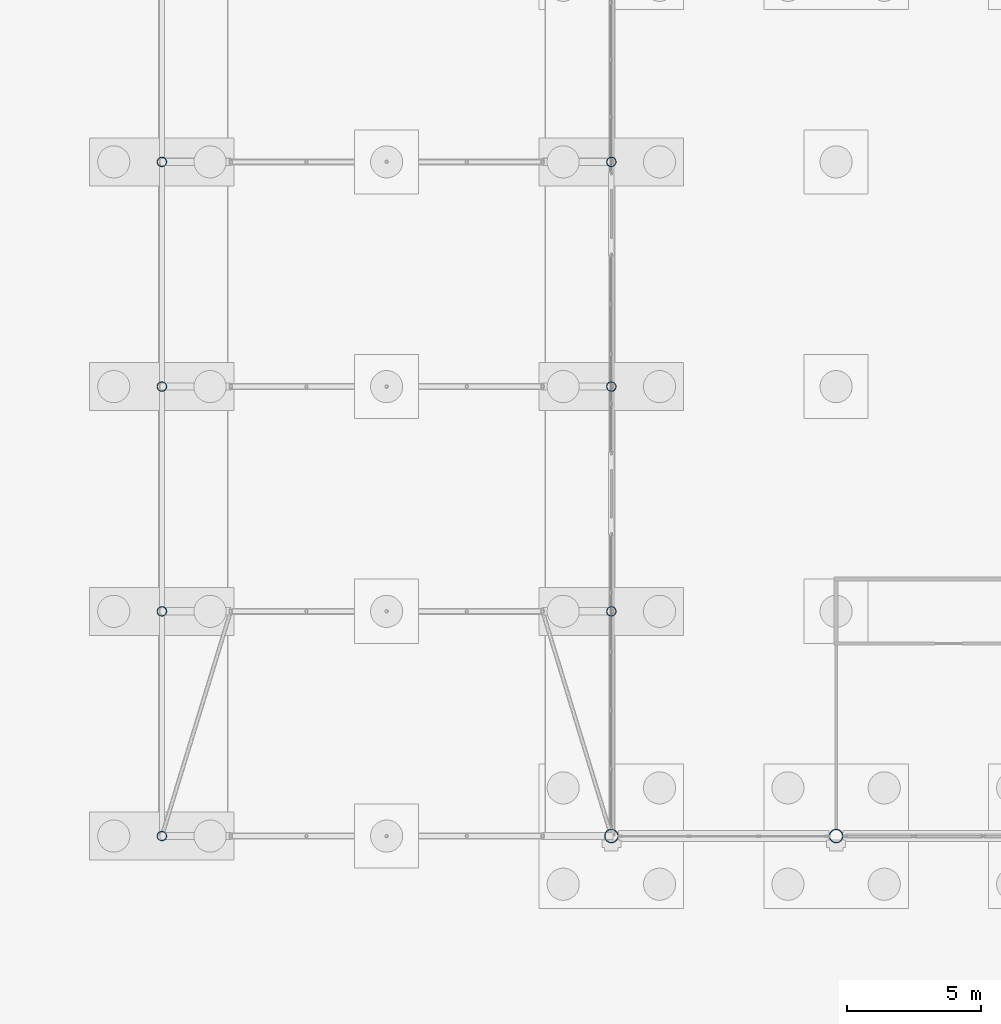
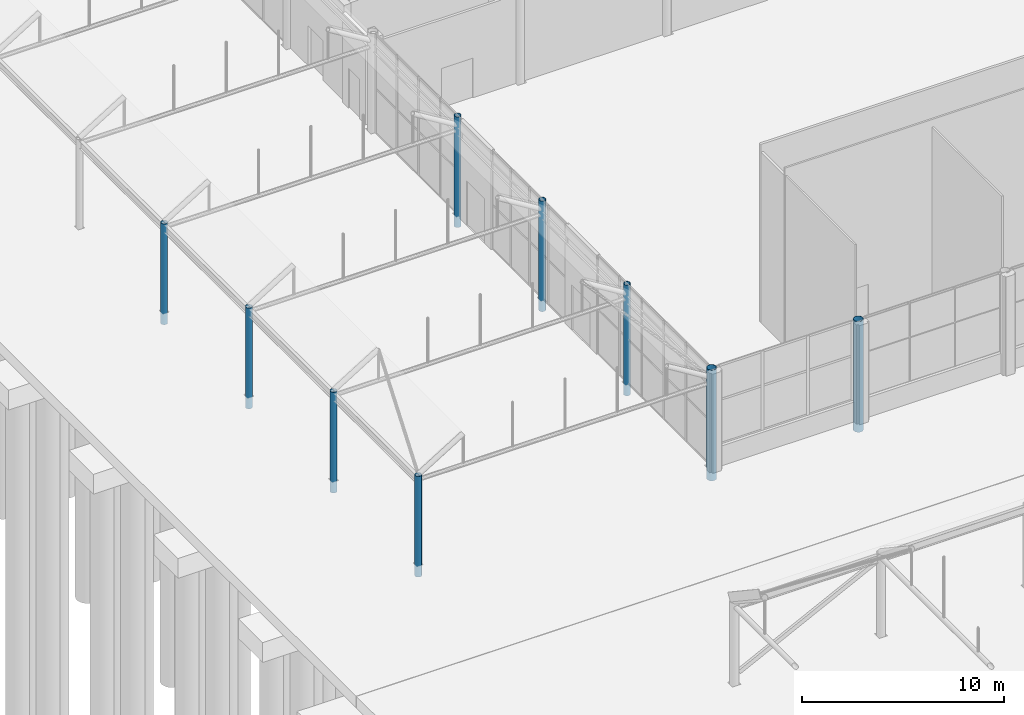
# One storey, part 10 of 212: 9 columns.
"""IFC4 building model written with IfcOpenShell, lengths in metres."""

from ifc_helpers import new_model, si_unit, direction, frame, origin, origin_2d, place, context, subcontext, project, spatial, hollow_circle, extrude, material, material_profile, profile_set, type_object, element, save


model = new_model("IFC4")

# Units and contexts
model_context = context("Model", 3, precision=1e-05, world=origin(), true_north=direction((0.0, 1.0)))
body_context = subcontext(model_context, "Body", "Model", "MODEL_VIEW")
ifc_project = project(units=[si_unit("LENGTHUNIT", "METRE"), si_unit("AREAUNIT", "SQUARE_METRE"), si_unit("VOLUMEUNIT", "CUBIC_METRE"), si_unit("PLANEANGLEUNIT", "RADIAN"), si_unit("MASSUNIT", "GRAM", prefix="KILO")], contexts=[model_context])

# Site, building, storey
site_placement = place(None, origin())
site = spatial("IfcSite", under=ifc_project, at=site_placement, CompositionType="ELEMENT")
building_placement = place(site_placement, origin())
building = spatial("IfcBuilding", under=site, at=building_placement, Name="Catenary Quay Ferry Terminal", CompositionType="ELEMENT")
storey_placement = place(building_placement, origin())
storey = spatial("IfcBuildingStorey", under=building, at=storey_placement, Name="L00", CompositionType="ELEMENT", Elevation=0.0)

# Columns
ifc_material_1 = material(Name="Steel S355", Category="steel")
ifc_material_profile_1 = material_profile(ifc_material_1, hollow_circle(Radius=0.25390625, WallThickness=0.01611328125, at=origin_2d()), Name="CHS 508x16")
ifc_profile_set_1 = profile_set([ifc_material_profile_1], Name="Steel S355")
column_type_1 = type_object("IfcColumnType", Name="C4 CHS 508x16", PredefinedType="COLUMN", material=ifc_profile_set_1)
for number, where, z_axis, x_axis, name in (
    (1, (25.199951171875, 67.199951171875, -0.699951171875), (0.0, 0.0, 1.0), (1.0, 0.0, 0.0), "Column C-D9 L00"),
    (2, (33.60009765625, 67.199951171875, -0.699951171875), (0.0, 0.0, 1.0), (1.0, 0.0, 0.0), "Column C-E9 L00"),
):
    element("IfcColumn", number, at=place(storey_placement, frame(where, z_axis=z_axis, x_axis=x_axis)), inside=storey, type_object=column_type_1, Name=name, PredefinedType="COLUMN", context=body_context, shape_type="SweptSolid", body=[
        extrude(hollow_circle(Radius=0.25390625, WallThickness=0.01611328125, at=origin_2d()), origin(), (0.0, 0.0, 1.0), 6.699951171875),
    ])
ifc_material_2 = material(Name="Steel S355", Category="steel")
ifc_material_profile_2 = material_profile(ifc_material_2, hollow_circle(Radius=0.177734375, WallThickness=0.012451171875, at=origin_2d()), Name="CHS 355.6x12.5")
ifc_profile_set_2 = profile_set([ifc_material_profile_2], Name="Steel S355")
column_type_2 = type_object("IfcColumnType", Name="C5 CHS 355.6x12.5", PredefinedType="COLUMN", material=ifc_profile_set_2)
for number, where, z_axis, x_axis, name in (
    (3, (25.199951171875, 75.60009765625, -0.699951171875), (0.0, 0.0, 1.0), (1.0, 0.0, 0.0), "Column C-D10 L00"),
    (4, (25.199951171875, 84.0, -0.699951171875), (0.0, 0.0, 1.0), (1.0, 0.0, 0.0), "Column C-D11 L00"),
    (5, (25.199951171875, 92.39990234375, -0.699951171875), (0.0, 0.0, 1.0), (1.0, 0.0, 0.0), "Column C-D12 L00"),
):
    element("IfcColumn", number, at=place(storey_placement, frame(where, z_axis=z_axis, x_axis=x_axis)), inside=storey, type_object=column_type_2, Name=name, PredefinedType="COLUMN", context=body_context, shape_type="SweptSolid", body=[
        extrude(hollow_circle(Radius=0.177734375, WallThickness=0.012451171875, at=origin_2d()), origin(), (0.0, 0.0, 1.0), 6.699951171875),
    ])
for number, where, z_axis, x_axis, name in (
    (6, (8.39990234375, 67.199951171875, -0.699951171875), (0.0, 0.0, 1.0), (1.0, 0.0, 0.0), "Column C-B9 L00"),
    (7, (8.39990234375, 75.60009765625, -0.699951171875), (0.0, 0.0, 1.0), (1.0, 0.0, 0.0), "Column C-B10 L00"),
    (8, (8.39990234375, 84.0, -0.699951171875), (0.0, 0.0, 1.0), (1.0, 0.0, 0.0), "Column C-B11 L00"),
    (9, (8.39990234375, 92.39990234375, -0.699951171875), (0.0, 0.0, 1.0), (1.0, 0.0, 0.0), "Column C-B12 L00"),
):
    element("IfcColumn", number, at=place(storey_placement, frame(where, z_axis=z_axis, x_axis=x_axis)), inside=storey, type_object=column_type_2, Name=name, PredefinedType="COLUMN", context=body_context, shape_type="SweptSolid", body=[
        extrude(hollow_circle(Radius=0.177734375, WallThickness=0.012451171875, at=origin_2d()), origin(), (0.0, 0.0, 1.0), 6.099853515625),
    ])

save(model, "model.ifc")
